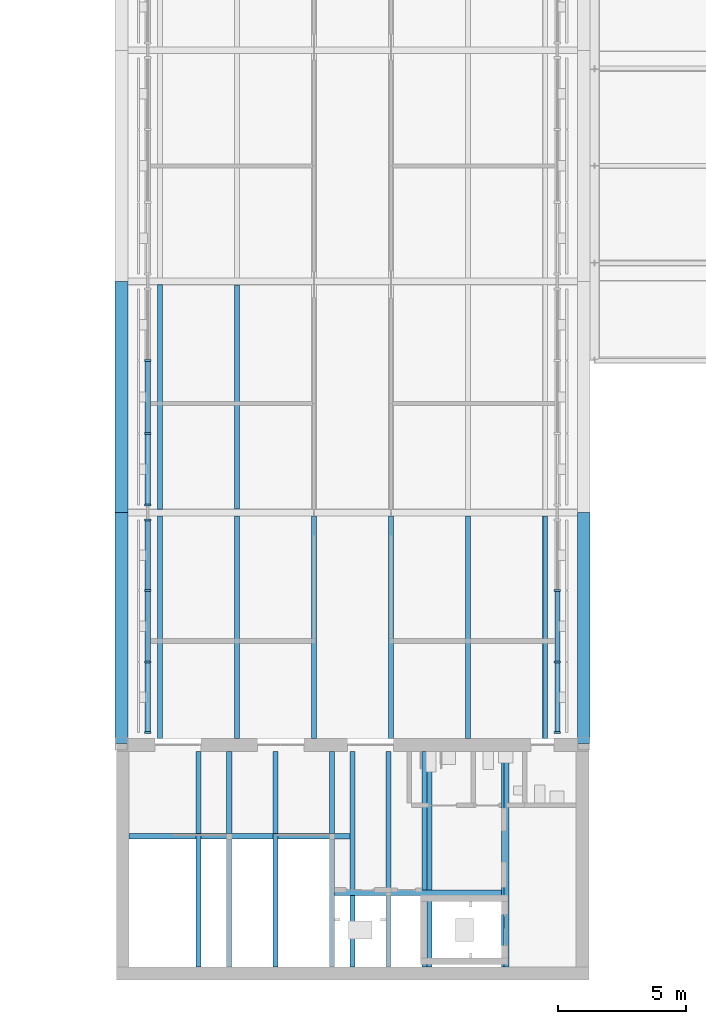
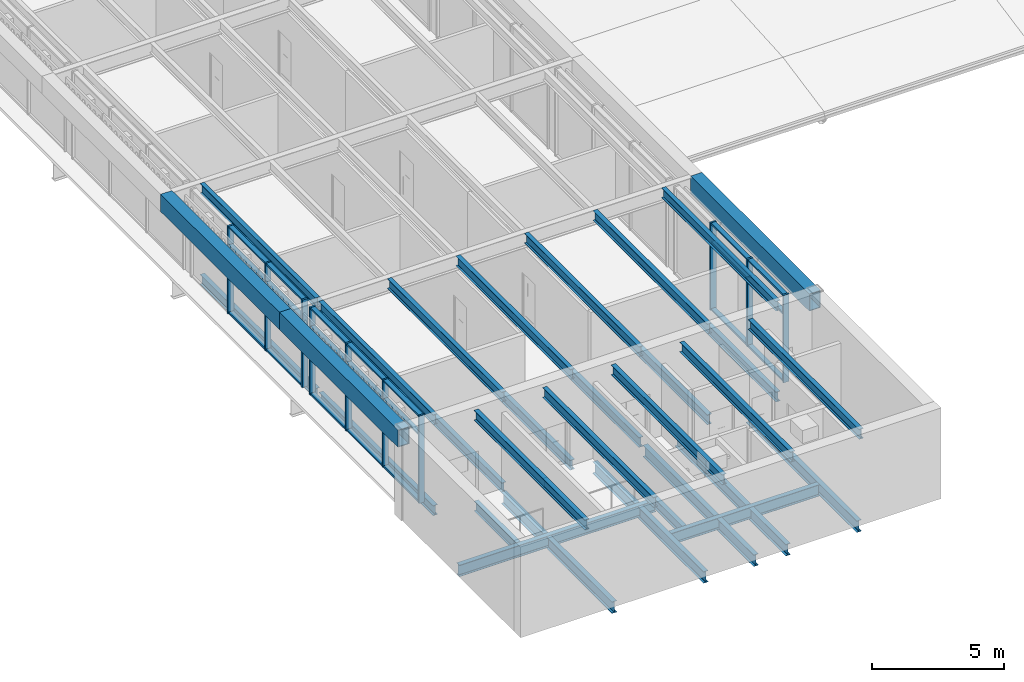
# One storey, part 3 of 43: 34 beams, 34 members, 3 elements without a shape of their own.
"""IFC4 building model written with IfcOpenShell, lengths in metres."""

from ifc_helpers import new_model, si_unit, direction, frame, origin, origin_2d, place, context, subcontext, project, spatial, rectangle, hollow_rectangle, i_section, extrude, material, material_profile, profile_set, type_object, element, aggregate, save


model = new_model("IFC4")

# Units and contexts
model_context = context("Model", 3, precision=1e-05, world=origin(), true_north=direction((0.0, 1.0)))
body_context = subcontext(model_context, "Body", "Model", "MODEL_VIEW")
ifc_project = project(units=[si_unit("LENGTHUNIT", "METRE"), si_unit("AREAUNIT", "SQUARE_METRE"), si_unit("VOLUMEUNIT", "CUBIC_METRE"), si_unit("PLANEANGLEUNIT", "RADIAN"), si_unit("MASSUNIT", "GRAM", prefix="KILO")], contexts=[model_context])

# Site, building, storey
site_placement = place(None, origin())
site = spatial("IfcSite", under=ifc_project, at=site_placement, CompositionType="ELEMENT")
building_placement = place(site_placement, origin())
building = spatial("IfcBuilding", under=site, at=building_placement, Name="Baradari Gate Terminus", CompositionType="ELEMENT")
storey_placement = place(building_placement, frame((0.0, 0.0, 20.10009765625)))
storey = spatial("IfcBuildingStorey", under=building, at=storey_placement, Name="L04", CompositionType="ELEMENT", Elevation=20.10009765625)

# Beams
ifc_material_1 = material(Name="Steel S355", Category="steel")
ifc_material_profile_1 = material_profile(ifc_material_1, i_section(OverallWidth=0.19140625, OverallDepth=0.4599609375, WebThickness=0.010009765625, FlangeThickness=0.01611328125, FilletRadius=0.01025390625, at=origin_2d()), Name="UB 457x191x82")
ifc_profile_set_1 = profile_set([ifc_material_profile_1], Name="Steel S355")
beam_type_1 = type_object("IfcBeamType", Name="Core floor beam B66 UB 457x191x82", PredefinedType="BEAM", material=ifc_profile_set_1)
for number, where, z_axis, x_axis, name in (
    (1, (75.0, 32.504638671875, -0.380126953125), (0.0, 1.0, 0.0), (-1.0, 0.0, 0.0), "Core floor beam B66 75:32.505-35.7 L04"),
    (2, (78.0, 32.504638671875, -0.380126953125), (0.0, 1.0, 0.0), (-1.0, 0.0, 0.0), "Core floor beam B66 78:32.505-35.7 L04"),
):
    element("IfcBeam", number, at=place(storey_placement, frame(where, z_axis=z_axis, x_axis=x_axis)), inside=storey, type_object=beam_type_1, Name=name, PredefinedType="BEAM", context=body_context, shape_type="SweptSolid", body=[
        extrude(i_section(OverallWidth=0.19140625, OverallDepth=0.4599609375, WebThickness=0.010009765625, FlangeThickness=0.01611328125, FilletRadius=0.01025390625, at=origin_2d()), origin(), (0.0, 0.0, 1.0), 3.1953125),
    ])
beam_1_placement = place(storey_placement, frame((81.0, 30.3046875, -0.380126953125), z_axis=(0.0, 1.0, 0.0), x_axis=(-1.0, 0.0, 0.0)))
element("IfcBeam", 3, at=beam_1_placement, inside=storey, type_object=beam_type_1, Name="Core floor beam B66 10:30.305-35.7 L04", PredefinedType="BEAM", context=body_context, shape_type="SweptSolid", body=[
    extrude(i_section(OverallWidth=0.19140625, OverallDepth=0.4599609375, WebThickness=0.010009765625, FlangeThickness=0.01611328125, FilletRadius=0.01025390625, at=origin_2d()), origin(), (0.0, 0.0, 1.0), 5.395263671875),
])
for number, where, z_axis, x_axis, name in (
    (4, (75.0, 27.300048828125, 3.81982421875), (0.0, 1.0, 0.0), (-1.0, 0.0, 0.0), "Core floor beam B66 75:27.3-35.7 L04"),
    (5, (78.0, 27.300048828125, 3.81982421875), (0.0, 1.0, 0.0), (-1.0, 0.0, 0.0), "Core floor beam B66 78:27.3-35.7 L04"),
    (6, (81.0, 27.300048828125, 3.81982421875), (0.0, 1.0, 0.0), (-1.0, 0.0, 0.0), "Core floor beam B66 10:27.3-35.7 L04"),
    (7, (84.0, 27.300048828125, 3.81982421875), (0.0, 1.0, 0.0), (-1.0, 0.0, 0.0), "Core floor beam B66 84:27.3-35.7 L04"),
    (8, (87.0, 27.300048828125, 3.81982421875), (0.0, 1.0, 0.0), (-1.0, 0.0, 0.0), "Core floor beam B66 87:27.3-35.7 L04"),
):
    element("IfcBeam", number, at=place(storey_placement, frame(where, z_axis=z_axis, x_axis=x_axis)), inside=storey, type_object=beam_type_1, Name=name, PredefinedType="BEAM", context=body_context, shape_type="SweptSolid", body=[
        extrude(i_section(OverallWidth=0.19140625, OverallDepth=0.4599609375, WebThickness=0.010009765625, FlangeThickness=0.01611328125, FilletRadius=0.01025390625, at=origin_2d()), origin(), (0.0, 0.0, 1.0), 8.39990234375),
    ])
ifc_material_2 = material(Name="Steel S355", Category="steel")
ifc_material_profile_2 = material_profile(ifc_material_2, i_section(OverallWidth=0.209228515625, OverallDepth=0.533203125, WebThickness=0.010009765625, FlangeThickness=0.015625, FilletRadius=0.0126953125, at=origin_2d()), Name="UB 533x210x92")
ifc_profile_set_2 = profile_set([ifc_material_profile_2], Name="Steel S355")
beam_type_2 = type_object("IfcBeamType", Name="Core floor trimmer beam B65 UB 533x210x92", PredefinedType="BEAM", material=ifc_profile_set_2)
beam_2_placement = place(storey_placement, frame((80.3046875, 30.199951171875, -0.416748046875), z_axis=(1.0, 0.0, 0.0), x_axis=(0.0, 1.0, 0.0)))
element("IfcBeam", 9, at=beam_2_placement, inside=storey, type_object=beam_type_2, Name="Core floor trimmer beam B65 30.2:80.305-86.8 L04", PredefinedType="BEAM", context=body_context, shape_type="SweptSolid", body=[
    extrude(i_section(OverallWidth=0.209228515625, OverallDepth=0.533203125, WebThickness=0.010009765625, FlangeThickness=0.015625, FilletRadius=0.0126953125, at=origin_2d()), origin(), (0.0, 0.0, 1.0), 6.49560546875),
])
beam_3_placement = place(storey_placement, frame((72.300048828125, 32.39990234375, -0.416748046875), z_axis=(1.0, 0.0, 0.0), x_axis=(0.0, 1.0, 0.0)))
element("IfcBeam", 10, at=beam_3_placement, inside=storey, type_object=beam_type_2, Name="Core floor trimmer beam B65 32.4:72.3-80.904 L04", PredefinedType="BEAM", context=body_context, shape_type="SweptSolid", body=[
    extrude(i_section(OverallWidth=0.209228515625, OverallDepth=0.533203125, WebThickness=0.010009765625, FlangeThickness=0.015625, FilletRadius=0.0126953125, at=origin_2d()), origin(), (0.0, 0.0, 1.0), 8.604248046875),
])
beam_4_placement = place(storey_placement, frame((86.905029296875, 27.300048828125, -0.416748046875), z_axis=(0.0, 1.0, 0.0), x_axis=(-1.0, 0.0, 0.0)))
element("IfcBeam", 11, at=beam_4_placement, inside=storey, type_object=beam_type_2, Name="Core floor trimmer beam B65 86.905:27.3-35.7 L04", PredefinedType="BEAM", context=body_context, shape_type="SweptSolid", body=[
    extrude(i_section(OverallWidth=0.209228515625, OverallDepth=0.533203125, WebThickness=0.010009765625, FlangeThickness=0.015625, FilletRadius=0.0126953125, at=origin_2d()), origin(), (0.0, 0.0, 1.0), 8.39990234375),
])
beam_5_placement = place(storey_placement, frame((82.39990234375, 27.300048828125, -0.416748046875), z_axis=(0.0, 1.0, 0.0), x_axis=(-1.0, 0.0, 0.0)))
element("IfcBeam", 12, at=beam_5_placement, inside=storey, type_object=beam_type_2, Name="Core floor trimmer beam B65 82.4:27.3-30.095 L04", PredefinedType="BEAM", context=body_context, shape_type="SweptSolid", body=[
    extrude(i_section(OverallWidth=0.209228515625, OverallDepth=0.533203125, WebThickness=0.010009765625, FlangeThickness=0.015625, FilletRadius=0.0126953125, at=origin_2d()), origin(), (0.0, 0.0, 1.0), 2.795166015625),
])
beam_6_placement = place(storey_placement, frame((82.39990234375, 30.3046875, -0.416748046875), z_axis=(0.0, 1.0, 0.0), x_axis=(-1.0, 0.0, 0.0)))
element("IfcBeam", 13, at=beam_6_placement, inside=storey, type_object=beam_type_2, Name="Core floor trimmer beam B65 82.4:30.305-35.7 L04", PredefinedType="BEAM", context=body_context, shape_type="SweptSolid", body=[
    extrude(i_section(OverallWidth=0.209228515625, OverallDepth=0.533203125, WebThickness=0.010009765625, FlangeThickness=0.015625, FilletRadius=0.0126953125, at=origin_2d()), origin(), (0.0, 0.0, 1.0), 5.395263671875),
])
beam_7_placement = place(storey_placement, frame((83.800048828125, 27.300048828125, -0.416748046875), z_axis=(0.0, 1.0, 0.0), x_axis=(-1.0, 0.0, 0.0)))
element("IfcBeam", 14, at=beam_7_placement, inside=storey, type_object=beam_type_2, Name="Core floor trimmer beam B65 83.8:27.3-30.095 L04", PredefinedType="BEAM", context=body_context, shape_type="SweptSolid", body=[
    extrude(i_section(OverallWidth=0.209228515625, OverallDepth=0.533203125, WebThickness=0.010009765625, FlangeThickness=0.015625, FilletRadius=0.0126953125, at=origin_2d()), origin(), (0.0, 0.0, 1.0), 2.795166015625),
])
beam_8_placement = place(storey_placement, frame((83.800048828125, 30.3046875, -0.416748046875), z_axis=(0.0, 1.0, 0.0), x_axis=(-1.0, 0.0, 0.0)))
element("IfcBeam", 15, at=beam_8_placement, inside=storey, type_object=beam_type_2, Name="Core floor trimmer beam B65 83.8:30.305-35.7 L04", PredefinedType="BEAM", context=body_context, shape_type="SweptSolid", body=[
    extrude(i_section(OverallWidth=0.209228515625, OverallDepth=0.533203125, WebThickness=0.010009765625, FlangeThickness=0.015625, FilletRadius=0.0126953125, at=origin_2d()), origin(), (0.0, 0.0, 1.0), 5.395263671875),
])
beam_9_placement = place(storey_placement, frame((76.199951171875, 27.300048828125, -0.416748046875), z_axis=(0.0, 1.0, 0.0), x_axis=(-1.0, 0.0, 0.0)))
element("IfcBeam", 16, at=beam_9_placement, inside=storey, type_object=beam_type_2, Name="Core floor trimmer beam B65 76.2:27.3-32.295 L04", PredefinedType="BEAM", context=body_context, shape_type="SweptSolid", body=[
    extrude(i_section(OverallWidth=0.209228515625, OverallDepth=0.533203125, WebThickness=0.010009765625, FlangeThickness=0.015625, FilletRadius=0.0126953125, at=origin_2d()), origin(), (0.0, 0.0, 1.0), 4.995361328125),
])
beam_10_placement = place(storey_placement, frame((76.199951171875, 32.504638671875, -0.416748046875), z_axis=(0.0, 1.0, 0.0), x_axis=(-1.0, 0.0, 0.0)))
element("IfcBeam", 17, at=beam_10_placement, inside=storey, type_object=beam_type_2, Name="Core floor trimmer beam B65 76.2:32.505-35.7 L04", PredefinedType="BEAM", context=body_context, shape_type="SweptSolid", body=[
    extrude(i_section(OverallWidth=0.209228515625, OverallDepth=0.533203125, WebThickness=0.010009765625, FlangeThickness=0.015625, FilletRadius=0.0126953125, at=origin_2d()), origin(), (0.0, 0.0, 1.0), 3.1953125),
])
beam_11_placement = place(storey_placement, frame((80.199951171875, 27.300048828125, -0.416748046875), z_axis=(0.0, 1.0, 0.0), x_axis=(-1.0, 0.0, 0.0)))
element("IfcBeam", 18, at=beam_11_placement, inside=storey, type_object=beam_type_2, Name="Core floor trimmer beam B65 80.2:27.3-32.295 L04", PredefinedType="BEAM", context=body_context, shape_type="SweptSolid", body=[
    extrude(i_section(OverallWidth=0.209228515625, OverallDepth=0.533203125, WebThickness=0.010009765625, FlangeThickness=0.015625, FilletRadius=0.0126953125, at=origin_2d()), origin(), (0.0, 0.0, 1.0), 4.995361328125),
])
beam_12_placement = place(storey_placement, frame((80.199951171875, 32.504638671875, -0.416748046875), z_axis=(0.0, 1.0, 0.0), x_axis=(-1.0, 0.0, 0.0)))
element("IfcBeam", 19, at=beam_12_placement, inside=storey, type_object=beam_type_2, Name="Core floor trimmer beam B65 80.2:32.505-35.7 L04", PredefinedType="BEAM", context=body_context, shape_type="SweptSolid", body=[
    extrude(i_section(OverallWidth=0.209228515625, OverallDepth=0.533203125, WebThickness=0.010009765625, FlangeThickness=0.015625, FilletRadius=0.0126953125, at=origin_2d()), origin(), (0.0, 0.0, 1.0), 3.1953125),
])

# Curtain wall, members
ifc_material_3 = material(Name="Aluminium 6063-T6", Category="aluminium")
curtain_wall_type = type_object("IfcCurtainWallType", Name="Curtain wall CW-3 gate face, office floors", PredefinedType="NOTDEFINED", material=ifc_material_3)
curtain_wall_1_placement = place(storey_placement, origin())
curtain_wall_1 = element("IfcCurtainWall", 20, at=curtain_wall_1_placement, inside=storey, type_object=curtain_wall_type, Name="Curtain wall CW-3 gate west face L04 bay 1", PredefinedType="NOTDEFINED")
ifc_material_4 = material(Name="Aluminium 6063-T6", Category="aluminium")
ifc_material_profile_3 = material_profile(ifc_material_4, rectangle(XDim=0.25, YDim=0.080078125, at=origin_2d()), Name="CM-3 80X250")
ifc_profile_set_3 = profile_set([ifc_material_profile_3], Name="Aluminium 6063-T6")
member_type_1 = type_object("IfcMemberType", Name="Curtain wall mullion CM-3 80x250", PredefinedType="MULLION", material=ifc_profile_set_3)
member_1_placement = place(storey_placement, frame((73.02490234375, 36.43994140625, 0.0), z_axis=(0.0, 0.0, 1.0), x_axis=(-1.0, 0.0, 0.0)))
member_1 = element("IfcMember", 21, at=member_1_placement, type_object=member_type_1, Name="CW-3 mullion 1", PredefinedType="MULLION", context=body_context, shape_type="SweptSolid", body=[
    extrude(rectangle(XDim=0.25, YDim=0.080078125, at=origin_2d()), origin(), (0.0, 0.0, 1.0), 4.0498046875),
])
member_2_placement = place(storey_placement, frame((73.02490234375, 39.183349609375, 0.0), z_axis=(0.0, 0.0, 1.0), x_axis=(-1.0, 0.0, 0.0)))
member_2 = element("IfcMember", 22, at=member_2_placement, type_object=member_type_1, Name="CW-3 mullion 2", PredefinedType="MULLION", context=body_context, shape_type="SweptSolid", body=[
    extrude(rectangle(XDim=0.25, YDim=0.080078125, at=origin_2d()), origin(), (0.0, 0.0, 1.0), 4.0498046875),
])
member_3_placement = place(storey_placement, frame((73.02490234375, 41.966552734375, 0.0), z_axis=(0.0, 0.0, 1.0), x_axis=(-1.0, 0.0, 0.0)))
member_3 = element("IfcMember", 23, at=member_3_placement, type_object=member_type_1, Name="CW-3 mullion 3", PredefinedType="MULLION", context=body_context, shape_type="SweptSolid", body=[
    extrude(rectangle(XDim=0.25, YDim=0.080078125, at=origin_2d()), origin(), (0.0, 0.0, 1.0), 4.0498046875),
])
member_4_placement = place(storey_placement, frame((73.02490234375, 44.7099609375, 0.0), z_axis=(0.0, 0.0, 1.0), x_axis=(-1.0, 0.0, 0.0)))
member_4 = element("IfcMember", 24, at=member_4_placement, type_object=member_type_1, Name="CW-3 mullion 4", PredefinedType="MULLION", context=body_context, shape_type="SweptSolid", body=[
    extrude(rectangle(XDim=0.25, YDim=0.080078125, at=origin_2d()), origin(), (0.0, 0.0, 1.0), 4.0498046875),
])

curtain_wall_2_placement = place(storey_placement, origin())
curtain_wall_2 = element("IfcCurtainWall", 25, at=curtain_wall_2_placement, inside=storey, type_object=curtain_wall_type, Name="Curtain wall CW-3 gate west face L04 bay 2", PredefinedType="NOTDEFINED")
member_5_placement = place(storey_placement, frame((73.02490234375, 45.2900390625, 0.0), z_axis=(0.0, 0.0, 1.0), x_axis=(-1.0, 0.0, 0.0)))
member_5 = element("IfcMember", 26, at=member_5_placement, type_object=member_type_1, Name="CW-3 mullion 1", PredefinedType="MULLION", context=body_context, shape_type="SweptSolid", body=[
    extrude(rectangle(XDim=0.25, YDim=0.080078125, at=origin_2d()), origin(), (0.0, 0.0, 1.0), 4.0498046875),
])
member_6_placement = place(storey_placement, frame((73.02490234375, 48.083251953125, 0.0), z_axis=(0.0, 0.0, 1.0), x_axis=(-1.0, 0.0, 0.0)))
member_6 = element("IfcMember", 27, at=member_6_placement, type_object=member_type_1, Name="CW-3 mullion 2", PredefinedType="MULLION", context=body_context, shape_type="SweptSolid", body=[
    extrude(rectangle(XDim=0.25, YDim=0.080078125, at=origin_2d()), origin(), (0.0, 0.0, 1.0), 4.0498046875),
])
member_7_placement = place(storey_placement, frame((73.02490234375, 50.916748046875, 0.0), z_axis=(0.0, 0.0, 1.0), x_axis=(-1.0, 0.0, 0.0)))
member_7 = element("IfcMember", 28, at=member_7_placement, type_object=member_type_1, Name="CW-3 mullion 3", PredefinedType="MULLION", context=body_context, shape_type="SweptSolid", body=[
    extrude(rectangle(XDim=0.25, YDim=0.080078125, at=origin_2d()), origin(), (0.0, 0.0, 1.0), 4.0498046875),
])

curtain_wall_3_placement = place(storey_placement, origin())
curtain_wall_3 = element("IfcCurtainWall", 29, at=curtain_wall_3_placement, inside=storey, type_object=curtain_wall_type, Name="Curtain wall CW-3 gate east face L04 bay 1", PredefinedType="NOTDEFINED")
member_8_placement = place(storey_placement, frame((88.97509765625, 36.43994140625, 0.0), z_axis=(0.0, 0.0, 1.0), x_axis=(-1.0, 0.0, 0.0)))
member_8 = element("IfcMember", 30, at=member_8_placement, type_object=member_type_1, Name="CW-3 mullion 1", PredefinedType="MULLION", context=body_context, shape_type="SweptSolid", body=[
    extrude(rectangle(XDim=0.25, YDim=0.080078125, at=origin_2d()), origin(), (0.0, 0.0, 1.0), 4.0498046875),
])
member_9_placement = place(storey_placement, frame((88.97509765625, 39.183349609375, 0.0), z_axis=(0.0, 0.0, 1.0), x_axis=(-1.0, 0.0, 0.0)))
member_9 = element("IfcMember", 31, at=member_9_placement, type_object=member_type_1, Name="CW-3 mullion 2", PredefinedType="MULLION", context=body_context, shape_type="SweptSolid", body=[
    extrude(rectangle(XDim=0.25, YDim=0.080078125, at=origin_2d()), origin(), (0.0, 0.0, 1.0), 4.0498046875),
])
member_10_placement = place(storey_placement, frame((88.97509765625, 41.966552734375, 0.0), z_axis=(0.0, 0.0, 1.0), x_axis=(-1.0, 0.0, 0.0)))
member_10 = element("IfcMember", 32, at=member_10_placement, type_object=member_type_1, Name="CW-3 mullion 3", PredefinedType="MULLION", context=body_context, shape_type="SweptSolid", body=[
    extrude(rectangle(XDim=0.25, YDim=0.080078125, at=origin_2d()), origin(), (0.0, 0.0, 1.0), 4.0498046875),
])

# Member
ifc_material_5 = material(Name="Aluminium 6063-T6", Category="aluminium")
ifc_material_profile_4 = material_profile(ifc_material_5, rectangle(XDim=0.199951171875, YDim=0.080078125, at=origin_2d()), Name="CT-3 80X200")
ifc_profile_set_4 = profile_set([ifc_material_profile_4], Name="Aluminium 6063-T6")
member_type_2 = type_object("IfcMemberType", Name="Curtain wall transom CT-3 80x200", PredefinedType="USERDEFINED", material=ifc_profile_set_4)
member_11_placement = place(storey_placement, frame((73.02490234375, 36.47998046875, 0.039794921875), z_axis=(0.0, 1.0, 0.0), x_axis=(-1.0, 0.0, 0.0)))
member_11 = element("IfcMember", 33, at=member_11_placement, type_object=member_type_2, Name="CW-3 transom 1.1", ObjectType="TRANSOM", PredefinedType="USERDEFINED", context=body_context, shape_type="SweptSolid", body=[
    extrude(rectangle(XDim=0.199951171875, YDim=0.080078125, at=origin_2d()), origin(), (0.0, 0.0, 1.0), 2.663330078125),
])

member_12_placement = place(storey_placement, frame((73.02490234375, 36.47998046875, 3.14990234375), z_axis=(0.0, 1.0, 0.0), x_axis=(-1.0, 0.0, 0.0)))
member_12 = element("IfcMember", 34, at=member_12_placement, type_object=member_type_2, Name="CW-3 transom 1.2", ObjectType="TRANSOM", PredefinedType="USERDEFINED", context=body_context, shape_type="SweptSolid", body=[
    extrude(rectangle(XDim=0.199951171875, YDim=0.080078125, at=origin_2d()), origin(), (0.0, 0.0, 1.0), 2.663330078125),
])

member_13_placement = place(storey_placement, frame((73.02490234375, 36.47998046875, 4.010009765625), z_axis=(0.0, 1.0, 0.0), x_axis=(-1.0, 0.0, 0.0)))
member_13 = element("IfcMember", 35, at=member_13_placement, type_object=member_type_2, Name="CW-3 transom 1.3", ObjectType="TRANSOM", PredefinedType="USERDEFINED", context=body_context, shape_type="SweptSolid", body=[
    extrude(rectangle(XDim=0.199951171875, YDim=0.080078125, at=origin_2d()), origin(), (0.0, 0.0, 1.0), 2.663330078125),
])

member_14_placement = place(storey_placement, frame((73.02490234375, 39.223388671875, 0.039794921875), z_axis=(0.0, 1.0, 0.0), x_axis=(-1.0, 0.0, 0.0)))
member_14 = element("IfcMember", 36, at=member_14_placement, type_object=member_type_2, Name="CW-3 transom 2.1", ObjectType="TRANSOM", PredefinedType="USERDEFINED", context=body_context, shape_type="SweptSolid", body=[
    extrude(rectangle(XDim=0.199951171875, YDim=0.080078125, at=origin_2d()), origin(), (0.0, 0.0, 1.0), 2.703369140625),
])

member_15_placement = place(storey_placement, frame((73.02490234375, 39.223388671875, 3.14990234375), z_axis=(0.0, 1.0, 0.0), x_axis=(-1.0, 0.0, 0.0)))
member_15 = element("IfcMember", 37, at=member_15_placement, type_object=member_type_2, Name="CW-3 transom 2.2", ObjectType="TRANSOM", PredefinedType="USERDEFINED", context=body_context, shape_type="SweptSolid", body=[
    extrude(rectangle(XDim=0.199951171875, YDim=0.080078125, at=origin_2d()), origin(), (0.0, 0.0, 1.0), 2.703369140625),
])

member_16_placement = place(storey_placement, frame((73.02490234375, 39.223388671875, 4.010009765625), z_axis=(0.0, 1.0, 0.0), x_axis=(-1.0, 0.0, 0.0)))
member_16 = element("IfcMember", 38, at=member_16_placement, type_object=member_type_2, Name="CW-3 transom 2.3", ObjectType="TRANSOM", PredefinedType="USERDEFINED", context=body_context, shape_type="SweptSolid", body=[
    extrude(rectangle(XDim=0.199951171875, YDim=0.080078125, at=origin_2d()), origin(), (0.0, 0.0, 1.0), 2.703369140625),
])

member_17_placement = place(storey_placement, frame((73.02490234375, 42.006591796875, 0.039794921875), z_axis=(0.0, 1.0, 0.0), x_axis=(-1.0, 0.0, 0.0)))
member_17 = element("IfcMember", 39, at=member_17_placement, type_object=member_type_2, Name="CW-3 transom 3.1", ObjectType="TRANSOM", PredefinedType="USERDEFINED", context=body_context, shape_type="SweptSolid", body=[
    extrude(rectangle(XDim=0.199951171875, YDim=0.080078125, at=origin_2d()), origin(), (0.0, 0.0, 1.0), 2.663330078125),
])

member_18_placement = place(storey_placement, frame((73.02490234375, 42.006591796875, 3.14990234375), z_axis=(0.0, 1.0, 0.0), x_axis=(-1.0, 0.0, 0.0)))
member_18 = element("IfcMember", 40, at=member_18_placement, type_object=member_type_2, Name="CW-3 transom 3.2", ObjectType="TRANSOM", PredefinedType="USERDEFINED", context=body_context, shape_type="SweptSolid", body=[
    extrude(rectangle(XDim=0.199951171875, YDim=0.080078125, at=origin_2d()), origin(), (0.0, 0.0, 1.0), 2.663330078125),
])

member_19_placement = place(storey_placement, frame((73.02490234375, 42.006591796875, 4.010009765625), z_axis=(0.0, 1.0, 0.0), x_axis=(-1.0, 0.0, 0.0)))
member_19 = element("IfcMember", 41, at=member_19_placement, type_object=member_type_2, Name="CW-3 transom 3.3", ObjectType="TRANSOM", PredefinedType="USERDEFINED", context=body_context, shape_type="SweptSolid", body=[
    extrude(rectangle(XDim=0.199951171875, YDim=0.080078125, at=origin_2d()), origin(), (0.0, 0.0, 1.0), 2.663330078125),
])

aggregate(curtain_wall_1, [member_1, member_2, member_3, member_4, member_11, member_12, member_13, member_14, member_15, member_16, member_17, member_18, member_19])

member_20_placement = place(storey_placement, frame((73.02490234375, 45.330078125, 0.039794921875), z_axis=(0.0, 1.0, 0.0), x_axis=(-1.0, 0.0, 0.0)))
member_20 = element("IfcMember", 42, at=member_20_placement, type_object=member_type_2, Name="CW-3 transom 1.1", ObjectType="TRANSOM", PredefinedType="USERDEFINED", context=body_context, shape_type="SweptSolid", body=[
    extrude(rectangle(XDim=0.199951171875, YDim=0.080078125, at=origin_2d()), origin(), (0.0, 0.0, 1.0), 2.713134765625),
])

member_21_placement = place(storey_placement, frame((73.02490234375, 45.330078125, 3.14990234375), z_axis=(0.0, 1.0, 0.0), x_axis=(-1.0, 0.0, 0.0)))
member_21 = element("IfcMember", 43, at=member_21_placement, type_object=member_type_2, Name="CW-3 transom 1.2", ObjectType="TRANSOM", PredefinedType="USERDEFINED", context=body_context, shape_type="SweptSolid", body=[
    extrude(rectangle(XDim=0.199951171875, YDim=0.080078125, at=origin_2d()), origin(), (0.0, 0.0, 1.0), 2.713134765625),
])

member_22_placement = place(storey_placement, frame((73.02490234375, 45.330078125, 4.010009765625), z_axis=(0.0, 1.0, 0.0), x_axis=(-1.0, 0.0, 0.0)))
member_22 = element("IfcMember", 44, at=member_22_placement, type_object=member_type_2, Name="CW-3 transom 1.3", ObjectType="TRANSOM", PredefinedType="USERDEFINED", context=body_context, shape_type="SweptSolid", body=[
    extrude(rectangle(XDim=0.199951171875, YDim=0.080078125, at=origin_2d()), origin(), (0.0, 0.0, 1.0), 2.713134765625),
])

member_23_placement = place(storey_placement, frame((73.02490234375, 48.123291015625, 0.039794921875), z_axis=(0.0, 1.0, 0.0), x_axis=(-1.0, 0.0, 0.0)))
member_23 = element("IfcMember", 45, at=member_23_placement, type_object=member_type_2, Name="CW-3 transom 2.1", ObjectType="TRANSOM", PredefinedType="USERDEFINED", context=body_context, shape_type="SweptSolid", body=[
    extrude(rectangle(XDim=0.199951171875, YDim=0.080078125, at=origin_2d()), origin(), (0.0, 0.0, 1.0), 2.75341796875),
])

member_24_placement = place(storey_placement, frame((73.02490234375, 48.123291015625, 3.14990234375), z_axis=(0.0, 1.0, 0.0), x_axis=(-1.0, 0.0, 0.0)))
member_24 = element("IfcMember", 46, at=member_24_placement, type_object=member_type_2, Name="CW-3 transom 2.2", ObjectType="TRANSOM", PredefinedType="USERDEFINED", context=body_context, shape_type="SweptSolid", body=[
    extrude(rectangle(XDim=0.199951171875, YDim=0.080078125, at=origin_2d()), origin(), (0.0, 0.0, 1.0), 2.75341796875),
])

member_25_placement = place(storey_placement, frame((73.02490234375, 48.123291015625, 4.010009765625), z_axis=(0.0, 1.0, 0.0), x_axis=(-1.0, 0.0, 0.0)))
member_25 = element("IfcMember", 47, at=member_25_placement, type_object=member_type_2, Name="CW-3 transom 2.3", ObjectType="TRANSOM", PredefinedType="USERDEFINED", context=body_context, shape_type="SweptSolid", body=[
    extrude(rectangle(XDim=0.199951171875, YDim=0.080078125, at=origin_2d()), origin(), (0.0, 0.0, 1.0), 2.75341796875),
])

aggregate(curtain_wall_2, [member_5, member_6, member_7, member_20, member_21, member_22, member_23, member_24, member_25])

member_26_placement = place(storey_placement, frame((88.97509765625, 36.47998046875, 0.039794921875), z_axis=(0.0, 1.0, 0.0), x_axis=(-1.0, 0.0, 0.0)))
member_26 = element("IfcMember", 48, at=member_26_placement, type_object=member_type_2, Name="CW-3 transom 1.1", ObjectType="TRANSOM", PredefinedType="USERDEFINED", context=body_context, shape_type="SweptSolid", body=[
    extrude(rectangle(XDim=0.199951171875, YDim=0.080078125, at=origin_2d()), origin(), (0.0, 0.0, 1.0), 2.663330078125),
])

member_27_placement = place(storey_placement, frame((88.97509765625, 36.47998046875, 3.14990234375), z_axis=(0.0, 1.0, 0.0), x_axis=(-1.0, 0.0, 0.0)))
member_27 = element("IfcMember", 49, at=member_27_placement, type_object=member_type_2, Name="CW-3 transom 1.2", ObjectType="TRANSOM", PredefinedType="USERDEFINED", context=body_context, shape_type="SweptSolid", body=[
    extrude(rectangle(XDim=0.199951171875, YDim=0.080078125, at=origin_2d()), origin(), (0.0, 0.0, 1.0), 2.663330078125),
])

member_28_placement = place(storey_placement, frame((88.97509765625, 36.47998046875, 4.010009765625), z_axis=(0.0, 1.0, 0.0), x_axis=(-1.0, 0.0, 0.0)))
member_28 = element("IfcMember", 50, at=member_28_placement, type_object=member_type_2, Name="CW-3 transom 1.3", ObjectType="TRANSOM", PredefinedType="USERDEFINED", context=body_context, shape_type="SweptSolid", body=[
    extrude(rectangle(XDim=0.199951171875, YDim=0.080078125, at=origin_2d()), origin(), (0.0, 0.0, 1.0), 2.663330078125),
])

member_29_placement = place(storey_placement, frame((88.97509765625, 39.223388671875, 0.039794921875), z_axis=(0.0, 1.0, 0.0), x_axis=(-1.0, 0.0, 0.0)))
member_29 = element("IfcMember", 51, at=member_29_placement, type_object=member_type_2, Name="CW-3 transom 2.1", ObjectType="TRANSOM", PredefinedType="USERDEFINED", context=body_context, shape_type="SweptSolid", body=[
    extrude(rectangle(XDim=0.199951171875, YDim=0.080078125, at=origin_2d()), origin(), (0.0, 0.0, 1.0), 2.703369140625),
])

member_30_placement = place(storey_placement, frame((88.97509765625, 39.223388671875, 3.14990234375), z_axis=(0.0, 1.0, 0.0), x_axis=(-1.0, 0.0, 0.0)))
member_30 = element("IfcMember", 52, at=member_30_placement, type_object=member_type_2, Name="CW-3 transom 2.2", ObjectType="TRANSOM", PredefinedType="USERDEFINED", context=body_context, shape_type="SweptSolid", body=[
    extrude(rectangle(XDim=0.199951171875, YDim=0.080078125, at=origin_2d()), origin(), (0.0, 0.0, 1.0), 2.703369140625),
])

member_31_placement = place(storey_placement, frame((88.97509765625, 39.223388671875, 4.010009765625), z_axis=(0.0, 1.0, 0.0), x_axis=(-1.0, 0.0, 0.0)))
member_31 = element("IfcMember", 53, at=member_31_placement, type_object=member_type_2, Name="CW-3 transom 2.3", ObjectType="TRANSOM", PredefinedType="USERDEFINED", context=body_context, shape_type="SweptSolid", body=[
    extrude(rectangle(XDim=0.199951171875, YDim=0.080078125, at=origin_2d()), origin(), (0.0, 0.0, 1.0), 2.703369140625),
])

aggregate(curtain_wall_3, [member_8, member_9, member_10, member_26, member_27, member_28, member_29, member_30, member_31])

# Beams
ifc_material_6 = material(Name="Steel S355", Category="steel")
ifc_material_profile_5 = material_profile(ifc_material_6, i_section(OverallWidth=0.18994140625, OverallDepth=0.453369140625, WebThickness=0.008544921875, FlangeThickness=0.0126953125, FilletRadius=0.01025390625, at=origin_2d()), Name="UB 457x191x67")
ifc_profile_set_5 = profile_set([ifc_material_profile_5], Name="Steel S355")
beam_type_3 = type_object("IfcBeamType", Name="Gate roof secondary beam B57 UB 457x191x67", PredefinedType="BEAM", material=ifc_profile_set_5)
beam_13_placement = place(storey_placement, frame((73.5, 36.199951171875, 3.8232421875), z_axis=(0.0, 1.0, 0.0), x_axis=(-1.0, 0.0, 0.0)))
element("IfcBeam", 54, at=beam_13_placement, inside=storey, type_object=beam_type_3, Name="Gate roof secondary beam B57 73.5:36.2-44.873 L04", PredefinedType="BEAM", context=body_context, shape_type="SweptSolid", body=[
    extrude(i_section(OverallWidth=0.18994140625, OverallDepth=0.453369140625, WebThickness=0.008544921875, FlangeThickness=0.0126953125, FilletRadius=0.01025390625, at=origin_2d()), origin(), (0.0, 0.0, 1.0), 8.6728515625),
])
beam_14_placement = place(storey_placement, frame((73.5, 45.127197265625, 3.8232421875), z_axis=(0.0, 1.0, 0.0), x_axis=(-1.0, 0.0, 0.0)))
element("IfcBeam", 55, at=beam_14_placement, inside=storey, type_object=beam_type_3, Name="Gate roof secondary beam B57 73.5:45.127-53.873 L04", PredefinedType="BEAM", context=body_context, shape_type="SweptSolid", body=[
    extrude(i_section(OverallWidth=0.18994140625, OverallDepth=0.453369140625, WebThickness=0.008544921875, FlangeThickness=0.0126953125, FilletRadius=0.01025390625, at=origin_2d()), origin(), (0.0, 0.0, 1.0), 8.74560546875),
])
for number, where, z_axis, x_axis, name in (
    (56, (76.5, 36.199951171875, 3.8232421875), (0.0, 1.0, 0.0), (-1.0, 0.0, 0.0), "Gate roof secondary beam B57 76.5:36.2-44.873 L04"),
    (57, (79.5, 36.199951171875, 3.8232421875), (0.0, 1.0, 0.0), (-1.0, 0.0, 0.0), "Gate roof secondary beam B57 79.5:36.2-44.873 L04"),
    (58, (82.5, 36.199951171875, 3.8232421875), (0.0, 1.0, 0.0), (-1.0, 0.0, 0.0), "Gate roof secondary beam B57 82.5:36.2-44.873 L04"),
    (59, (85.5, 36.199951171875, 3.8232421875), (0.0, 1.0, 0.0), (-1.0, 0.0, 0.0), "Gate roof secondary beam B57 85.5:36.2-44.873 L04"),
    (60, (88.5, 36.199951171875, 3.8232421875), (0.0, 1.0, 0.0), (-1.0, 0.0, 0.0), "Gate roof secondary beam B57 88.5:36.2-44.873 L04"),
):
    element("IfcBeam", number, at=place(storey_placement, frame(where, z_axis=z_axis, x_axis=x_axis)), inside=storey, type_object=beam_type_3, Name=name, PredefinedType="BEAM", context=body_context, shape_type="SweptSolid", body=[
        extrude(i_section(OverallWidth=0.18994140625, OverallDepth=0.453369140625, WebThickness=0.008544921875, FlangeThickness=0.0126953125, FilletRadius=0.01025390625, at=origin_2d()), origin(), (0.0, 0.0, 1.0), 8.6728515625),
    ])
ifc_material_7 = material(Name="Steel S355", Category="steel")
ifc_material_profile_6 = material_profile(ifc_material_7, i_section(OverallWidth=0.19140625, OverallDepth=0.4599609375, WebThickness=0.010009765625, FlangeThickness=0.01611328125, FilletRadius=0.01025390625, at=origin_2d()), Name="UB 457x191x82")
ifc_profile_set_6 = profile_set([ifc_material_profile_6], Name="Steel S355")
beam_type_4 = type_object("IfcBeamType", Name="Gate secondary beam B31 UB 457x191x82", PredefinedType="BEAM", material=ifc_profile_set_6)
beam_15_placement = place(storey_placement, frame((73.5, 36.199951171875, -0.380126953125), z_axis=(0.0, 1.0, 0.0), x_axis=(-1.0, 0.0, 0.0)))
element("IfcBeam", 61, at=beam_15_placement, inside=storey, type_object=beam_type_4, Name="Gate secondary beam B31 73.5:36.2-44.867 L04", PredefinedType="BEAM", context=body_context, shape_type="SweptSolid", body=[
    extrude(i_section(OverallWidth=0.19140625, OverallDepth=0.4599609375, WebThickness=0.010009765625, FlangeThickness=0.01611328125, FilletRadius=0.01025390625, at=origin_2d()), origin(), (0.0, 0.0, 1.0), 8.666748046875),
])
beam_16_placement = place(storey_placement, frame((73.5, 45.13330078125, -0.380126953125), z_axis=(0.0, 1.0, 0.0), x_axis=(-1.0, 0.0, 0.0)))
element("IfcBeam", 62, at=beam_16_placement, inside=storey, type_object=beam_type_4, Name="Gate secondary beam B31 73.5:45.133-53.867 L04", PredefinedType="BEAM", context=body_context, shape_type="SweptSolid", body=[
    extrude(i_section(OverallWidth=0.19140625, OverallDepth=0.4599609375, WebThickness=0.010009765625, FlangeThickness=0.01611328125, FilletRadius=0.01025390625, at=origin_2d()), origin(), (0.0, 0.0, 1.0), 8.7333984375),
])
beam_17_placement = place(storey_placement, frame((76.5, 36.199951171875, -0.380126953125), z_axis=(0.0, 1.0, 0.0), x_axis=(-1.0, 0.0, 0.0)))
element("IfcBeam", 63, at=beam_17_placement, inside=storey, type_object=beam_type_4, Name="Gate secondary beam B31 76.5:36.2-44.867 L04", PredefinedType="BEAM", context=body_context, shape_type="SweptSolid", body=[
    extrude(i_section(OverallWidth=0.19140625, OverallDepth=0.4599609375, WebThickness=0.010009765625, FlangeThickness=0.01611328125, FilletRadius=0.01025390625, at=origin_2d()), origin(), (0.0, 0.0, 1.0), 8.666748046875),
])
beam_18_placement = place(storey_placement, frame((76.5, 45.13330078125, -0.380126953125), z_axis=(0.0, 1.0, 0.0), x_axis=(-1.0, 0.0, 0.0)))
element("IfcBeam", 64, at=beam_18_placement, inside=storey, type_object=beam_type_4, Name="Gate secondary beam B31 76.5:45.133-53.867 L04", PredefinedType="BEAM", context=body_context, shape_type="SweptSolid", body=[
    extrude(i_section(OverallWidth=0.19140625, OverallDepth=0.4599609375, WebThickness=0.010009765625, FlangeThickness=0.01611328125, FilletRadius=0.01025390625, at=origin_2d()), origin(), (0.0, 0.0, 1.0), 8.7333984375),
])
for number, where, z_axis, x_axis, name in (
    (65, (79.5, 36.199951171875, -0.380126953125), (0.0, 1.0, 0.0), (-1.0, 0.0, 0.0), "Gate secondary beam B31 79.5:36.2-44.867 L04"),
    (66, (82.5, 36.199951171875, -0.380126953125), (0.0, 1.0, 0.0), (-1.0, 0.0, 0.0), "Gate secondary beam B31 82.5:36.2-44.867 L04"),
    (67, (85.5, 36.199951171875, -0.380126953125), (0.0, 1.0, 0.0), (-1.0, 0.0, 0.0), "Gate secondary beam B31 85.5:36.2-44.867 L04"),
    (68, (88.5, 36.199951171875, -0.380126953125), (0.0, 1.0, 0.0), (-1.0, 0.0, 0.0), "Gate secondary beam B31 88.5:36.2-44.867 L04"),
):
    element("IfcBeam", number, at=place(storey_placement, frame(where, z_axis=z_axis, x_axis=x_axis)), inside=storey, type_object=beam_type_4, Name=name, PredefinedType="BEAM", context=body_context, shape_type="SweptSolid", body=[
        extrude(i_section(OverallWidth=0.19140625, OverallDepth=0.4599609375, WebThickness=0.010009765625, FlangeThickness=0.01611328125, FilletRadius=0.01025390625, at=origin_2d()), origin(), (0.0, 0.0, 1.0), 8.666748046875),
    ])

# Members
ifc_material_8 = material(Name="Steel S355", Category="steel")
ifc_material_profile_7 = material_profile(ifc_material_8, hollow_rectangle(XDim=0.5, YDim=0.800048828125, WallThickness=0.031982421875, at=origin_2d()), Name="FB 500x800x32")
ifc_profile_set_7 = profile_set([ifc_material_profile_7], Name="Steel S355")
member_type_3 = type_object("IfcMemberType", Name="Transfer truss top chord FB 500x800x32", PredefinedType="CHORD", material=ifc_profile_set_7)
for number, where, z_axis, x_axis, name in (
    (69, (72.0, 36.0, 3.64990234375), (0.0, 1.0, 0.0), (-1.0, 0.0, 0.0), "TR/L04/G72-TC0"),
    (70, (72.0, 45.0, 3.64990234375), (0.0, 1.0, 0.0), (-1.0, 0.0, 0.0), "TR/L04/G72-TC1"),
    (71, (90.0, 36.0, 3.64990234375), (0.0, 1.0, 0.0), (-1.0, 0.0, 0.0), "TR/L04/G90-TC0"),
):
    element("IfcMember", number, at=place(storey_placement, frame(where, z_axis=z_axis, x_axis=x_axis)), inside=storey, type_object=member_type_3, Name=name, PredefinedType="CHORD", context=body_context, shape_type="SweptSolid", body=[
        extrude(hollow_rectangle(XDim=0.5, YDim=0.800048828125, WallThickness=0.031982421875, at=origin_2d()), origin(), (0.0, 0.0, 1.0), 9.0),
    ])

save(model, "model.ifc")
